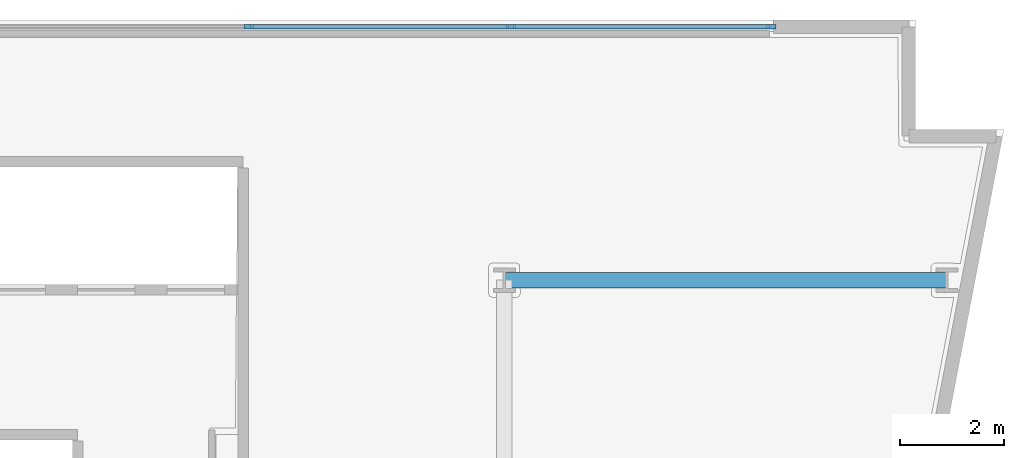
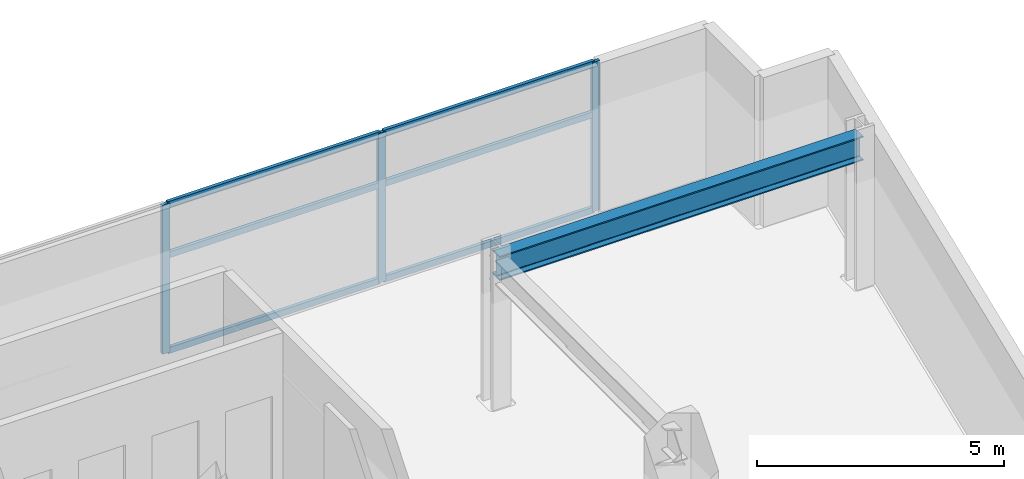
# One storey, part 4 of 12: 9 members, 1 beam, 1 element without a shape of its own.
"""IFC4 building model written with IfcOpenShell, lengths in metres."""

from ifc_helpers import new_model, si_unit, direction, frame, origin, origin_2d, place, context, subcontext, project, spatial, rectangle, i_section, extrude, material, layer, layer_set, material_profile, profile_set, type_object, element, aggregate, save


model = new_model("IFC4")

# Units and contexts
model_context = context("Model", 3, precision=1e-05, world=origin(), true_north=direction((0.0, 1.0)))
body_context = subcontext(model_context, "Body", "Model", "MODEL_VIEW")
ifc_project = project(units=[si_unit("LENGTHUNIT", "METRE"), si_unit("AREAUNIT", "SQUARE_METRE"), si_unit("VOLUMEUNIT", "CUBIC_METRE"), si_unit("PLANEANGLEUNIT", "RADIAN"), si_unit("MASSUNIT", "GRAM", prefix="KILO")], contexts=[model_context])

# Site, building, storey
site_placement = place(None, origin())
site = spatial("IfcSite", under=ifc_project, at=site_placement, CompositionType="ELEMENT")
building_placement = place(site_placement, origin())
building = spatial("IfcBuilding", under=site, at=building_placement, Name="Caeloran Harvest Quay", CompositionType="ELEMENT")
storey_placement = place(building_placement, frame((0.0, 0.0, 146.949951171875)))
storey = spatial("IfcBuildingStorey", under=building, at=storey_placement, Name="L34", CompositionType="ELEMENT", Elevation=146.949951171875)

# Beam
ifc_material_1 = material(Name="Steel S355J2", Category="steel")
ifc_material_profile_1 = material_profile(ifc_material_1, i_section(OverallWidth=0.300048828125, OverallDepth=0.60009765625, WebThickness=0.015380859375, FlangeThickness=0.030029296875, FilletRadius=0.027099609375, at=origin_2d()), Name="HE 600 B")
ifc_profile_set_1 = profile_set([ifc_material_profile_1], Name="Steel S355J2")
beam_type = type_object("IfcBeamType", Name="BM-PG-3-HE_600_B", PredefinedType="BEAM", material=ifc_profile_set_1)
beam_placement = place(storey_placement, frame((42.5, 38.5, 3.39013671875), z_axis=(1.0, 0.0, 0.0), x_axis=(0.0, 1.0, 0.0)))
element("IfcBeam", 1, at=beam_placement, inside=storey, type_object=beam_type, Name="L34 Primary East-West Girder Y=38.5", PredefinedType="BEAM", context=body_context, shape_type="SweptSolid", body=[
    extrude(i_section(OverallWidth=0.300048828125, OverallDepth=0.60009765625, WebThickness=0.015380859375, FlangeThickness=0.030029296875, FilletRadius=0.027099609375, at=origin_2d()), origin(), (0.0, 0.0, 1.0), 8.5),
])

# Curtain wall, members
ifc_material_2 = material(Name="Aluminium 6063-T6 and Low-E Glazing", Category="aluminium")
ifc_layer = layer(ifc_material_2, 0.18994140625, Name="Aluminium 6063-T6 and Low-E Glazing")
ifc_layer_set = layer_set([ifc_layer], Name="Aluminium 6063-T6 and Low-E Glazing")
curtain_wall_type = type_object("IfcCurtainWallType", Name="CW-SYS-CW-3", PredefinedType="USERDEFINED", material=ifc_layer_set)
curtain_wall_placement = place(storey_placement, origin())
curtain_wall = element("IfcCurtainWall", 2, at=curtain_wall_placement, inside=storey, type_object=curtain_wall_type, Name="L34 Unitised Curtain Wall CW-3 Run 6", ObjectType="CURTAIN_WALL", PredefinedType="USERDEFINED")
ifc_material_3 = material(Name="Aluminium 6063-T6", Category="aluminium")
ifc_material_profile_2 = material_profile(ifc_material_3, rectangle(XDim=0.080078125, YDim=0.179931640625, at=origin_2d()), Name="CW-MULLION-180")
ifc_profile_set_2 = profile_set([ifc_material_profile_2], Name="Aluminium 6063-T6")
member_type_1 = type_object("IfcMemberType", Name="CW-MULLION-180", PredefinedType="MULLION", material=ifc_profile_set_2)
member_1_placement = place(storey_placement, frame((37.5849609375, 43.3701171875, 0.0), z_axis=(0.0, 0.0, 1.0), x_axis=(0.0, 1.0, 0.0)))
member_1 = element("IfcMember", 3, at=member_1_placement, type_object=member_type_1, Name="CW-3 mullion 7", PredefinedType="MULLION", context=body_context, shape_type="SweptSolid", body=[
    extrude(rectangle(XDim=0.080078125, YDim=0.179931640625, at=origin_2d()), origin(), (0.0, 0.0, 1.0), 3.68994140625),
])
member_2_placement = place(storey_placement, frame((42.62744140625, 43.3701171875, 0.0), z_axis=(0.0, 0.0, 1.0), x_axis=(0.0, 1.0, 0.0)))
member_2 = element("IfcMember", 4, at=member_2_placement, type_object=member_type_1, Name="CW-3 mullion 8", PredefinedType="MULLION", context=body_context, shape_type="SweptSolid", body=[
    extrude(rectangle(XDim=0.080078125, YDim=0.179931640625, at=origin_2d()), origin(), (0.0, 0.0, 1.0), 3.68994140625),
])
member_3_placement = place(storey_placement, frame((47.6298828125, 43.3701171875, 0.0), z_axis=(0.0, 0.0, 1.0), x_axis=(0.0, 1.0, 0.0)))
member_3 = element("IfcMember", 5, at=member_3_placement, type_object=member_type_1, Name="CW-3 mullion 9", PredefinedType="MULLION", context=body_context, shape_type="SweptSolid", body=[
    extrude(rectangle(XDim=0.080078125, YDim=0.179931640625, at=origin_2d()), origin(), (0.0, 0.0, 1.0), 3.68994140625),
])
ifc_material_profile_3 = material_profile(ifc_material_3, rectangle(XDim=0.080078125, YDim=0.14990234375, at=origin_2d()), Name="CW-TRANSOM-150")
ifc_profile_set_3 = profile_set([ifc_material_profile_3], Name="Aluminium 6063-T6")
member_type_2 = type_object("IfcMemberType", Name="CW-TRANSOM-150", PredefinedType="USERDEFINED", material=ifc_profile_set_3)
member_4_placement = place(storey_placement, frame((37.625, 43.3701171875, 0.0400390625), z_axis=(1.0, 0.0, 0.0), x_axis=(0.0, 1.0, 0.0)))
member_4 = element("IfcMember", 6, at=member_4_placement, type_object=member_type_2, Name="CW-3 transom 7.1", ObjectType="TRANSOM", PredefinedType="USERDEFINED", context=body_context, shape_type="SweptSolid", body=[
    extrude(rectangle(XDim=0.080078125, YDim=0.14990234375, at=origin_2d()), origin(), (0.0, 0.0, 1.0), 4.96240234375),
])
member_5_placement = place(storey_placement, frame((37.625, 43.3701171875, 2.400146484375), z_axis=(1.0, 0.0, 0.0), x_axis=(0.0, 1.0, 0.0)))
member_5 = element("IfcMember", 7, at=member_5_placement, type_object=member_type_2, Name="CW-3 transom 7.2", ObjectType="TRANSOM", PredefinedType="USERDEFINED", context=body_context, shape_type="SweptSolid", body=[
    extrude(rectangle(XDim=0.080078125, YDim=0.14990234375, at=origin_2d()), origin(), (0.0, 0.0, 1.0), 4.96240234375),
])
member_6_placement = place(storey_placement, frame((37.625, 43.3701171875, 3.650146484375), z_axis=(1.0, 0.0, 0.0), x_axis=(0.0, 1.0, 0.0)))
member_6 = element("IfcMember", 8, at=member_6_placement, type_object=member_type_2, Name="CW-3 transom 7.3", ObjectType="TRANSOM", PredefinedType="USERDEFINED", context=body_context, shape_type="SweptSolid", body=[
    extrude(rectangle(XDim=0.080078125, YDim=0.14990234375, at=origin_2d()), origin(), (0.0, 0.0, 1.0), 4.96240234375),
])
member_7_placement = place(storey_placement, frame((42.66748046875, 43.3701171875, 0.0400390625), z_axis=(1.0, 0.0, 0.0), x_axis=(0.0, 1.0, 0.0)))
member_7 = element("IfcMember", 9, at=member_7_placement, type_object=member_type_2, Name="CW-3 transom 8.1", ObjectType="TRANSOM", PredefinedType="USERDEFINED", context=body_context, shape_type="SweptSolid", body=[
    extrude(rectangle(XDim=0.080078125, YDim=0.14990234375, at=origin_2d()), origin(), (0.0, 0.0, 1.0), 4.922607421875),
])
member_8_placement = place(storey_placement, frame((42.66748046875, 43.3701171875, 2.400146484375), z_axis=(1.0, 0.0, 0.0), x_axis=(0.0, 1.0, 0.0)))
member_8 = element("IfcMember", 10, at=member_8_placement, type_object=member_type_2, Name="CW-3 transom 8.2", ObjectType="TRANSOM", PredefinedType="USERDEFINED", context=body_context, shape_type="SweptSolid", body=[
    extrude(rectangle(XDim=0.080078125, YDim=0.14990234375, at=origin_2d()), origin(), (0.0, 0.0, 1.0), 4.922607421875),
])
member_9_placement = place(storey_placement, frame((42.66748046875, 43.3701171875, 3.650146484375), z_axis=(1.0, 0.0, 0.0), x_axis=(0.0, 1.0, 0.0)))
member_9 = element("IfcMember", 11, at=member_9_placement, type_object=member_type_2, Name="CW-3 transom 8.3", ObjectType="TRANSOM", PredefinedType="USERDEFINED", context=body_context, shape_type="SweptSolid", body=[
    extrude(rectangle(XDim=0.080078125, YDim=0.14990234375, at=origin_2d()), origin(), (0.0, 0.0, 1.0), 4.922607421875),
])
aggregate(curtain_wall, [member_1, member_2, member_3, member_4, member_5, member_6, member_7, member_8, member_9])

save(model, "model.ifc")
